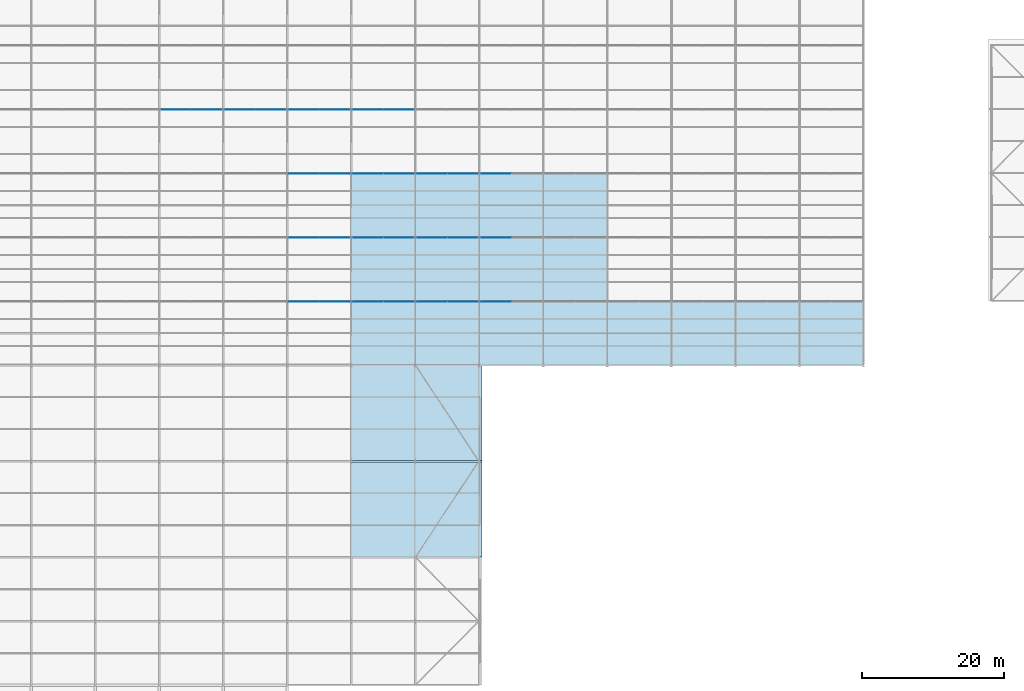
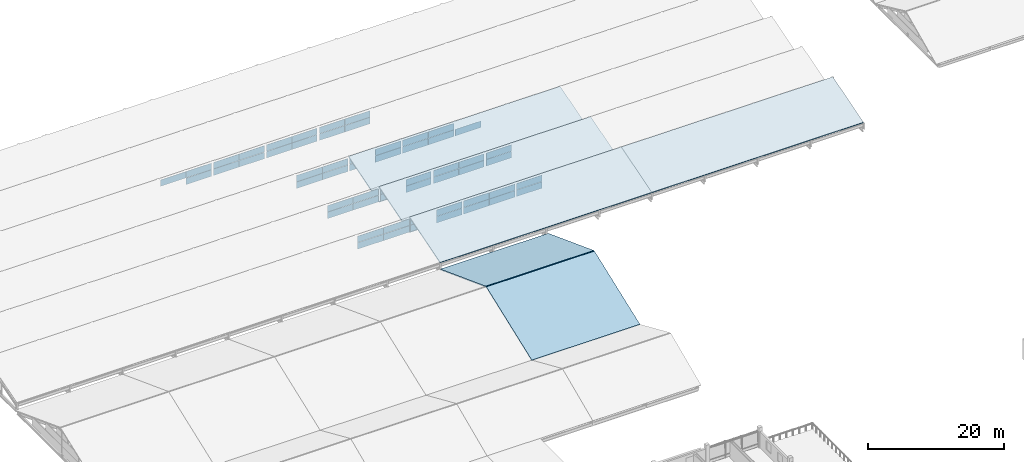
# One storey, part 111 of 163: 56 plates, 6 slabs, 16 elements without a shape of their own.
"""IFC4 building model written with IfcOpenShell, lengths in metres."""

from ifc_helpers import new_model, si_unit, direction, frame, origin, origin_2d, place, context, subcontext, project, spatial, polyline, rectangle, outline, extrude, material, layer, layer_set, type_object, element, aggregate, save


model = new_model("IFC4")

# Units and contexts
model_context = context("Model", 3, precision=1e-05, world=origin(), true_north=direction((0.0, 1.0)))
body_context = subcontext(model_context, "Body", "Model", "MODEL_VIEW")
ifc_project = project(units=[si_unit("LENGTHUNIT", "METRE"), si_unit("AREAUNIT", "SQUARE_METRE"), si_unit("VOLUMEUNIT", "CUBIC_METRE"), si_unit("PLANEANGLEUNIT", "RADIAN"), si_unit("MASSUNIT", "GRAM", prefix="KILO")], contexts=[model_context])

# Site, building, storey
site_placement = place(None, origin())
site = spatial("IfcSite", under=ifc_project, at=site_placement, CompositionType="ELEMENT")
building_placement = place(site_placement, origin())
building = spatial("IfcBuilding", under=site, at=building_placement, Name="Tharagai Park Tramway Depot", CompositionType="ELEMENT")
storey_placement = place(building_placement, frame((0.0, 0.0, 8.39990234375)))
storey = spatial("IfcBuildingStorey", under=building, at=storey_placement, Name="L02", CompositionType="ELEMENT", Elevation=8.39990234375)

# Curtain wall, plates
ifc_material_1 = material(Name="Anodised aluminium", Category="aluminium")
curtain_wall_type_1 = type_object("IfcCurtainWallType", Name="CW-04", PredefinedType="NOTDEFINED", material=ifc_material_1)
curtain_wall_1_placement = place(storey_placement, origin())
curtain_wall_1 = element("IfcCurtainWall", 1, at=curtain_wall_1_placement, inside=storey, type_object=curtain_wall_type_1, Name="Sawtooth North-Light Clerestory CW-04", PredefinedType="NOTDEFINED")
ifc_material_2 = material(Name="Laminated solar-control glass", Category="glass")
ifc_layer_1 = layer(ifc_material_2, 0.028076171875)
ifc_layer_set_1 = layer_set([ifc_layer_1], Name="Laminated solar-control glass")
plate_type = type_object("IfcPlateType", Name="CP-02", PredefinedType="CURTAIN_PANEL", material=ifc_layer_set_1)
plate_1_placement = place(storey_placement, frame((65.300048828125, 98.919921875, 1.28515625), z_axis=(0.0, 0.0, 1.0), x_axis=(1.0, 0.0, 0.0)))
plate_1 = element("IfcPlate", 2, at=plate_1_placement, type_object=plate_type, Name="Sawtooth North-Light Clerestory Glazed Panel 1.1", PredefinedType="CURTAIN_PANEL", context=body_context, shape_type="SweptSolid", body=[
    extrude(rectangle(XDim=4.3798828125, YDim=0.028076171875, at=origin_2d()), origin(), (0.0, 0.0, 1.0), 1.168701171875),
])
plate_2_placement = place(storey_placement, frame((65.300048828125, 98.919921875, 2.49365234375), z_axis=(0.0, 0.0, 1.0), x_axis=(1.0, 0.0, 0.0)))
plate_2 = element("IfcPlate", 3, at=plate_2_placement, type_object=plate_type, Name="Sawtooth North-Light Clerestory Glazed Panel 1.2", PredefinedType="CURTAIN_PANEL", context=body_context, shape_type="SweptSolid", body=[
    extrude(rectangle(XDim=4.3798828125, YDim=0.028076171875, at=origin_2d()), origin(), (0.0, 0.0, 1.0), 1.148681640625),
])
plate_3_placement = place(storey_placement, frame((69.699951171875, 98.919921875, 1.28515625), z_axis=(0.0, 0.0, 1.0), x_axis=(1.0, 0.0, 0.0)))
plate_3 = element("IfcPlate", 4, at=plate_3_placement, type_object=plate_type, Name="Sawtooth North-Light Clerestory Glazed Panel 2.1", PredefinedType="CURTAIN_PANEL", context=body_context, shape_type="SweptSolid", body=[
    extrude(rectangle(XDim=4.3798828125, YDim=0.028076171875, at=origin_2d()), origin(), (0.0, 0.0, 1.0), 1.168701171875),
])
plate_4_placement = place(storey_placement, frame((69.699951171875, 98.919921875, 2.49365234375), z_axis=(0.0, 0.0, 1.0), x_axis=(1.0, 0.0, 0.0)))
plate_4 = element("IfcPlate", 5, at=plate_4_placement, type_object=plate_type, Name="Sawtooth North-Light Clerestory Glazed Panel 2.2", PredefinedType="CURTAIN_PANEL", context=body_context, shape_type="SweptSolid", body=[
    extrude(rectangle(XDim=4.3798828125, YDim=0.028076171875, at=origin_2d()), origin(), (0.0, 0.0, 1.0), 1.148681640625),
])
aggregate(curtain_wall_1, [plate_1, plate_2, plate_3, plate_4])

curtain_wall_2_placement = place(storey_placement, origin())
curtain_wall_2 = element("IfcCurtainWall", 6, at=curtain_wall_2_placement, inside=storey, type_object=curtain_wall_type_1, Name="Sawtooth North-Light Clerestory CW-04", PredefinedType="NOTDEFINED")
plate_5_placement = place(storey_placement, frame((74.300048828125, 98.919921875, 1.28515625), z_axis=(0.0, 0.0, 1.0), x_axis=(1.0, 0.0, 0.0)))
plate_5 = element("IfcPlate", 7, at=plate_5_placement, type_object=plate_type, Name="Sawtooth North-Light Clerestory Glazed Panel 1.1", PredefinedType="CURTAIN_PANEL", context=body_context, shape_type="SweptSolid", body=[
    extrude(rectangle(XDim=4.3798828125, YDim=0.028076171875, at=origin_2d()), origin(), (0.0, 0.0, 1.0), 1.168701171875),
])
plate_6_placement = place(storey_placement, frame((74.300048828125, 98.919921875, 2.49365234375), z_axis=(0.0, 0.0, 1.0), x_axis=(1.0, 0.0, 0.0)))
plate_6 = element("IfcPlate", 8, at=plate_6_placement, type_object=plate_type, Name="Sawtooth North-Light Clerestory Glazed Panel 1.2", PredefinedType="CURTAIN_PANEL", context=body_context, shape_type="SweptSolid", body=[
    extrude(rectangle(XDim=4.3798828125, YDim=0.028076171875, at=origin_2d()), origin(), (0.0, 0.0, 1.0), 1.148681640625),
])
plate_7_placement = place(storey_placement, frame((78.699951171875, 98.919921875, 1.28515625), z_axis=(0.0, 0.0, 1.0), x_axis=(1.0, 0.0, 0.0)))
plate_7 = element("IfcPlate", 9, at=plate_7_placement, type_object=plate_type, Name="Sawtooth North-Light Clerestory Glazed Panel 2.1", PredefinedType="CURTAIN_PANEL", context=body_context, shape_type="SweptSolid", body=[
    extrude(rectangle(XDim=4.3798828125, YDim=0.028076171875, at=origin_2d()), origin(), (0.0, 0.0, 1.0), 1.168701171875),
])
plate_8_placement = place(storey_placement, frame((78.699951171875, 98.919921875, 2.49365234375), z_axis=(0.0, 0.0, 1.0), x_axis=(1.0, 0.0, 0.0)))
plate_8 = element("IfcPlate", 10, at=plate_8_placement, type_object=plate_type, Name="Sawtooth North-Light Clerestory Glazed Panel 2.2", PredefinedType="CURTAIN_PANEL", context=body_context, shape_type="SweptSolid", body=[
    extrude(rectangle(XDim=4.3798828125, YDim=0.028076171875, at=origin_2d()), origin(), (0.0, 0.0, 1.0), 1.148681640625),
])
aggregate(curtain_wall_2, [plate_5, plate_6, plate_7, plate_8])

curtain_wall_3_placement = place(storey_placement, origin())
curtain_wall_3 = element("IfcCurtainWall", 11, at=curtain_wall_3_placement, inside=storey, type_object=curtain_wall_type_1, Name="Sawtooth North-Light Clerestory CW-04", PredefinedType="NOTDEFINED")
plate_9_placement = place(storey_placement, frame((83.300048828125, 98.919921875, 1.28515625), z_axis=(0.0, 0.0, 1.0), x_axis=(1.0, 0.0, 0.0)))
plate_9 = element("IfcPlate", 12, at=plate_9_placement, type_object=plate_type, Name="Sawtooth North-Light Clerestory Glazed Panel 1.1", PredefinedType="CURTAIN_PANEL", context=body_context, shape_type="SweptSolid", body=[
    extrude(rectangle(XDim=4.3798828125, YDim=0.028076171875, at=origin_2d()), origin(), (0.0, 0.0, 1.0), 1.168701171875),
])
plate_10_placement = place(storey_placement, frame((83.300048828125, 98.919921875, 2.49365234375), z_axis=(0.0, 0.0, 1.0), x_axis=(1.0, 0.0, 0.0)))
plate_10 = element("IfcPlate", 13, at=plate_10_placement, type_object=plate_type, Name="Sawtooth North-Light Clerestory Glazed Panel 1.2", PredefinedType="CURTAIN_PANEL", context=body_context, shape_type="SweptSolid", body=[
    extrude(rectangle(XDim=4.3798828125, YDim=0.028076171875, at=origin_2d()), origin(), (0.0, 0.0, 1.0), 1.148681640625),
])
plate_11_placement = place(storey_placement, frame((87.699951171875, 98.919921875, 1.28515625), z_axis=(0.0, 0.0, 1.0), x_axis=(1.0, 0.0, 0.0)))
plate_11 = element("IfcPlate", 14, at=plate_11_placement, type_object=plate_type, Name="Sawtooth North-Light Clerestory Glazed Panel 2.1", PredefinedType="CURTAIN_PANEL", context=body_context, shape_type="SweptSolid", body=[
    extrude(rectangle(XDim=4.3798828125, YDim=0.028076171875, at=origin_2d()), origin(), (0.0, 0.0, 1.0), 1.168701171875),
])
plate_12_placement = place(storey_placement, frame((87.699951171875, 98.919921875, 2.49365234375), z_axis=(0.0, 0.0, 1.0), x_axis=(1.0, 0.0, 0.0)))
plate_12 = element("IfcPlate", 15, at=plate_12_placement, type_object=plate_type, Name="Sawtooth North-Light Clerestory Glazed Panel 2.2", PredefinedType="CURTAIN_PANEL", context=body_context, shape_type="SweptSolid", body=[
    extrude(rectangle(XDim=4.3798828125, YDim=0.028076171875, at=origin_2d()), origin(), (0.0, 0.0, 1.0), 1.148681640625),
])
aggregate(curtain_wall_3, [plate_9, plate_10, plate_11, plate_12])

curtain_wall_4_placement = place(storey_placement, origin())
curtain_wall_4 = element("IfcCurtainWall", 16, at=curtain_wall_4_placement, inside=storey, type_object=curtain_wall_type_1, Name="Sawtooth North-Light Clerestory CW-04", PredefinedType="NOTDEFINED")
plate_13_placement = place(storey_placement, frame((92.300048828125, 98.919921875, 1.28515625), z_axis=(0.0, 0.0, 1.0), x_axis=(1.0, 0.0, 0.0)))
plate_13 = element("IfcPlate", 17, at=plate_13_placement, type_object=plate_type, Name="Sawtooth North-Light Clerestory Glazed Panel 1.1", PredefinedType="CURTAIN_PANEL", context=body_context, shape_type="SweptSolid", body=[
    extrude(rectangle(XDim=4.3798828125, YDim=0.028076171875, at=origin_2d()), origin(), (0.0, 0.0, 1.0), 1.168701171875),
])
plate_14_placement = place(storey_placement, frame((92.300048828125, 98.919921875, 2.49365234375), z_axis=(0.0, 0.0, 1.0), x_axis=(1.0, 0.0, 0.0)))
plate_14 = element("IfcPlate", 18, at=plate_14_placement, type_object=plate_type, Name="Sawtooth North-Light Clerestory Glazed Panel 1.2", PredefinedType="CURTAIN_PANEL", context=body_context, shape_type="SweptSolid", body=[
    extrude(rectangle(XDim=4.3798828125, YDim=0.028076171875, at=origin_2d()), origin(), (0.0, 0.0, 1.0), 1.148681640625),
])
aggregate(curtain_wall_4, [plate_13, plate_14])

curtain_wall_type_2 = type_object("IfcCurtainWallType", Name="CW-03", PredefinedType="NOTDEFINED", material=ifc_material_1)
curtain_wall_5_placement = place(storey_placement, origin())
curtain_wall_5 = element("IfcCurtainWall", 19, at=curtain_wall_5_placement, inside=storey, type_object=curtain_wall_type_2, Name="Sawtooth North-Light Clerestory CW-03", PredefinedType="NOTDEFINED")
plate_15_placement = place(storey_placement, frame((65.340087890625, 107.919921875, 1.28515625), z_axis=(0.0, 0.0, 1.0), x_axis=(1.0, 0.0, 0.0)))
plate_15 = element("IfcPlate", 20, at=plate_15_placement, type_object=plate_type, Name="Sawtooth North-Light Clerestory Glazed Panel 1.1", PredefinedType="CURTAIN_PANEL", context=body_context, shape_type="SweptSolid", body=[
    extrude(rectangle(XDim=4.300048828125, YDim=0.028076171875, at=origin_2d()), origin(), (0.0, 0.0, 1.0), 1.168701171875),
])
plate_16_placement = place(storey_placement, frame((65.340087890625, 107.919921875, 2.49365234375), z_axis=(0.0, 0.0, 1.0), x_axis=(1.0, 0.0, 0.0)))
plate_16 = element("IfcPlate", 21, at=plate_16_placement, type_object=plate_type, Name="Sawtooth North-Light Clerestory Glazed Panel 1.2", PredefinedType="CURTAIN_PANEL", context=body_context, shape_type="SweptSolid", body=[
    extrude(rectangle(XDim=4.300048828125, YDim=0.028076171875, at=origin_2d()), origin(), (0.0, 0.0, 1.0), 1.148681640625),
])
plate_17_placement = place(storey_placement, frame((69.659912109375, 107.919921875, 1.28515625), z_axis=(0.0, 0.0, 1.0), x_axis=(1.0, 0.0, 0.0)))
plate_17 = element("IfcPlate", 22, at=plate_17_placement, type_object=plate_type, Name="Sawtooth North-Light Clerestory Glazed Panel 2.1", PredefinedType="CURTAIN_PANEL", context=body_context, shape_type="SweptSolid", body=[
    extrude(rectangle(XDim=4.300048828125, YDim=0.028076171875, at=origin_2d()), origin(), (0.0, 0.0, 1.0), 1.168701171875),
])
plate_18_placement = place(storey_placement, frame((69.659912109375, 107.919921875, 2.49365234375), z_axis=(0.0, 0.0, 1.0), x_axis=(1.0, 0.0, 0.0)))
plate_18 = element("IfcPlate", 23, at=plate_18_placement, type_object=plate_type, Name="Sawtooth North-Light Clerestory Glazed Panel 2.2", PredefinedType="CURTAIN_PANEL", context=body_context, shape_type="SweptSolid", body=[
    extrude(rectangle(XDim=4.300048828125, YDim=0.028076171875, at=origin_2d()), origin(), (0.0, 0.0, 1.0), 1.148681640625),
])
aggregate(curtain_wall_5, [plate_15, plate_16, plate_17, plate_18])

curtain_wall_6_placement = place(storey_placement, origin())
curtain_wall_6 = element("IfcCurtainWall", 24, at=curtain_wall_6_placement, inside=storey, type_object=curtain_wall_type_2, Name="Sawtooth North-Light Clerestory CW-03", PredefinedType="NOTDEFINED")
plate_19_placement = place(storey_placement, frame((74.340087890625, 107.919921875, 1.28515625), z_axis=(0.0, 0.0, 1.0), x_axis=(1.0, 0.0, 0.0)))
plate_19 = element("IfcPlate", 25, at=plate_19_placement, type_object=plate_type, Name="Sawtooth North-Light Clerestory Glazed Panel 1.1", PredefinedType="CURTAIN_PANEL", context=body_context, shape_type="SweptSolid", body=[
    extrude(rectangle(XDim=4.300048828125, YDim=0.028076171875, at=origin_2d()), origin(), (0.0, 0.0, 1.0), 1.168701171875),
])
plate_20_placement = place(storey_placement, frame((74.340087890625, 107.919921875, 2.49365234375), z_axis=(0.0, 0.0, 1.0), x_axis=(1.0, 0.0, 0.0)))
plate_20 = element("IfcPlate", 26, at=plate_20_placement, type_object=plate_type, Name="Sawtooth North-Light Clerestory Glazed Panel 1.2", PredefinedType="CURTAIN_PANEL", context=body_context, shape_type="SweptSolid", body=[
    extrude(rectangle(XDim=4.300048828125, YDim=0.028076171875, at=origin_2d()), origin(), (0.0, 0.0, 1.0), 1.148681640625),
])
plate_21_placement = place(storey_placement, frame((78.659912109375, 107.919921875, 1.28515625), z_axis=(0.0, 0.0, 1.0), x_axis=(1.0, 0.0, 0.0)))
plate_21 = element("IfcPlate", 27, at=plate_21_placement, type_object=plate_type, Name="Sawtooth North-Light Clerestory Glazed Panel 2.1", PredefinedType="CURTAIN_PANEL", context=body_context, shape_type="SweptSolid", body=[
    extrude(rectangle(XDim=4.300048828125, YDim=0.028076171875, at=origin_2d()), origin(), (0.0, 0.0, 1.0), 1.168701171875),
])
plate_22_placement = place(storey_placement, frame((78.659912109375, 107.919921875, 2.49365234375), z_axis=(0.0, 0.0, 1.0), x_axis=(1.0, 0.0, 0.0)))
plate_22 = element("IfcPlate", 28, at=plate_22_placement, type_object=plate_type, Name="Sawtooth North-Light Clerestory Glazed Panel 2.2", PredefinedType="CURTAIN_PANEL", context=body_context, shape_type="SweptSolid", body=[
    extrude(rectangle(XDim=4.300048828125, YDim=0.028076171875, at=origin_2d()), origin(), (0.0, 0.0, 1.0), 1.148681640625),
])
aggregate(curtain_wall_6, [plate_19, plate_20, plate_21, plate_22])

curtain_wall_7_placement = place(storey_placement, origin())
curtain_wall_7 = element("IfcCurtainWall", 29, at=curtain_wall_7_placement, inside=storey, type_object=curtain_wall_type_2, Name="Sawtooth North-Light Clerestory CW-03", PredefinedType="NOTDEFINED")
plate_23_placement = place(storey_placement, frame((83.340087890625, 107.919921875, 1.28515625), z_axis=(0.0, 0.0, 1.0), x_axis=(1.0, 0.0, 0.0)))
plate_23 = element("IfcPlate", 30, at=plate_23_placement, type_object=plate_type, Name="Sawtooth North-Light Clerestory Glazed Panel 1.1", PredefinedType="CURTAIN_PANEL", context=body_context, shape_type="SweptSolid", body=[
    extrude(rectangle(XDim=4.300048828125, YDim=0.028076171875, at=origin_2d()), origin(), (0.0, 0.0, 1.0), 1.168701171875),
])
plate_24_placement = place(storey_placement, frame((83.340087890625, 107.919921875, 2.49365234375), z_axis=(0.0, 0.0, 1.0), x_axis=(1.0, 0.0, 0.0)))
plate_24 = element("IfcPlate", 31, at=plate_24_placement, type_object=plate_type, Name="Sawtooth North-Light Clerestory Glazed Panel 1.2", PredefinedType="CURTAIN_PANEL", context=body_context, shape_type="SweptSolid", body=[
    extrude(rectangle(XDim=4.300048828125, YDim=0.028076171875, at=origin_2d()), origin(), (0.0, 0.0, 1.0), 1.148681640625),
])
plate_25_placement = place(storey_placement, frame((87.659912109375, 107.919921875, 1.28515625), z_axis=(0.0, 0.0, 1.0), x_axis=(1.0, 0.0, 0.0)))
plate_25 = element("IfcPlate", 32, at=plate_25_placement, type_object=plate_type, Name="Sawtooth North-Light Clerestory Glazed Panel 2.1", PredefinedType="CURTAIN_PANEL", context=body_context, shape_type="SweptSolid", body=[
    extrude(rectangle(XDim=4.300048828125, YDim=0.028076171875, at=origin_2d()), origin(), (0.0, 0.0, 1.0), 1.168701171875),
])
plate_26_placement = place(storey_placement, frame((87.659912109375, 107.919921875, 2.49365234375), z_axis=(0.0, 0.0, 1.0), x_axis=(1.0, 0.0, 0.0)))
plate_26 = element("IfcPlate", 33, at=plate_26_placement, type_object=plate_type, Name="Sawtooth North-Light Clerestory Glazed Panel 2.2", PredefinedType="CURTAIN_PANEL", context=body_context, shape_type="SweptSolid", body=[
    extrude(rectangle(XDim=4.300048828125, YDim=0.028076171875, at=origin_2d()), origin(), (0.0, 0.0, 1.0), 1.148681640625),
])
aggregate(curtain_wall_7, [plate_23, plate_24, plate_25, plate_26])

curtain_wall_8_placement = place(storey_placement, origin())
curtain_wall_8 = element("IfcCurtainWall", 34, at=curtain_wall_8_placement, inside=storey, type_object=curtain_wall_type_2, Name="Sawtooth North-Light Clerestory CW-03", PredefinedType="NOTDEFINED")
plate_27_placement = place(storey_placement, frame((92.340087890625, 107.919921875, 1.28515625), z_axis=(0.0, 0.0, 1.0), x_axis=(1.0, 0.0, 0.0)))
plate_27 = element("IfcPlate", 35, at=plate_27_placement, type_object=plate_type, Name="Sawtooth North-Light Clerestory Glazed Panel 1.1", PredefinedType="CURTAIN_PANEL", context=body_context, shape_type="SweptSolid", body=[
    extrude(rectangle(XDim=4.300048828125, YDim=0.028076171875, at=origin_2d()), origin(), (0.0, 0.0, 1.0), 1.168701171875),
])
plate_28_placement = place(storey_placement, frame((92.340087890625, 107.919921875, 2.49365234375), z_axis=(0.0, 0.0, 1.0), x_axis=(1.0, 0.0, 0.0)))
plate_28 = element("IfcPlate", 36, at=plate_28_placement, type_object=plate_type, Name="Sawtooth North-Light Clerestory Glazed Panel 1.2", PredefinedType="CURTAIN_PANEL", context=body_context, shape_type="SweptSolid", body=[
    extrude(rectangle(XDim=4.300048828125, YDim=0.028076171875, at=origin_2d()), origin(), (0.0, 0.0, 1.0), 1.148681640625),
])
aggregate(curtain_wall_8, [plate_27, plate_28])

curtain_wall_9_placement = place(storey_placement, origin())
curtain_wall_9 = element("IfcCurtainWall", 37, at=curtain_wall_9_placement, inside=storey, type_object=curtain_wall_type_1, Name="Sawtooth North-Light Clerestory CW-04", PredefinedType="NOTDEFINED")
plate_29_placement = place(storey_placement, frame((65.300048828125, 116.919921875, 1.28515625), z_axis=(0.0, 0.0, 1.0), x_axis=(1.0, 0.0, 0.0)))
plate_29 = element("IfcPlate", 38, at=plate_29_placement, type_object=plate_type, Name="Sawtooth North-Light Clerestory Glazed Panel 1.1", PredefinedType="CURTAIN_PANEL", context=body_context, shape_type="SweptSolid", body=[
    extrude(rectangle(XDim=4.3798828125, YDim=0.028076171875, at=origin_2d()), origin(), (0.0, 0.0, 1.0), 1.168701171875),
])
plate_30_placement = place(storey_placement, frame((65.300048828125, 116.919921875, 2.49365234375), z_axis=(0.0, 0.0, 1.0), x_axis=(1.0, 0.0, 0.0)))
plate_30 = element("IfcPlate", 39, at=plate_30_placement, type_object=plate_type, Name="Sawtooth North-Light Clerestory Glazed Panel 1.2", PredefinedType="CURTAIN_PANEL", context=body_context, shape_type="SweptSolid", body=[
    extrude(rectangle(XDim=4.3798828125, YDim=0.028076171875, at=origin_2d()), origin(), (0.0, 0.0, 1.0), 1.148681640625),
])
plate_31_placement = place(storey_placement, frame((69.699951171875, 116.919921875, 1.28515625), z_axis=(0.0, 0.0, 1.0), x_axis=(1.0, 0.0, 0.0)))
plate_31 = element("IfcPlate", 40, at=plate_31_placement, type_object=plate_type, Name="Sawtooth North-Light Clerestory Glazed Panel 2.1", PredefinedType="CURTAIN_PANEL", context=body_context, shape_type="SweptSolid", body=[
    extrude(rectangle(XDim=4.3798828125, YDim=0.028076171875, at=origin_2d()), origin(), (0.0, 0.0, 1.0), 1.168701171875),
])
plate_32_placement = place(storey_placement, frame((69.699951171875, 116.919921875, 2.49365234375), z_axis=(0.0, 0.0, 1.0), x_axis=(1.0, 0.0, 0.0)))
plate_32 = element("IfcPlate", 41, at=plate_32_placement, type_object=plate_type, Name="Sawtooth North-Light Clerestory Glazed Panel 2.2", PredefinedType="CURTAIN_PANEL", context=body_context, shape_type="SweptSolid", body=[
    extrude(rectangle(XDim=4.3798828125, YDim=0.028076171875, at=origin_2d()), origin(), (0.0, 0.0, 1.0), 1.148681640625),
])
aggregate(curtain_wall_9, [plate_29, plate_30, plate_31, plate_32])

curtain_wall_10_placement = place(storey_placement, origin())
curtain_wall_10 = element("IfcCurtainWall", 42, at=curtain_wall_10_placement, inside=storey, type_object=curtain_wall_type_1, Name="Sawtooth North-Light Clerestory CW-04", PredefinedType="NOTDEFINED")
plate_33_placement = place(storey_placement, frame((74.300048828125, 116.919921875, 1.28515625), z_axis=(0.0, 0.0, 1.0), x_axis=(1.0, 0.0, 0.0)))
plate_33 = element("IfcPlate", 43, at=plate_33_placement, type_object=plate_type, Name="Sawtooth North-Light Clerestory Glazed Panel 1.1", PredefinedType="CURTAIN_PANEL", context=body_context, shape_type="SweptSolid", body=[
    extrude(rectangle(XDim=4.3798828125, YDim=0.028076171875, at=origin_2d()), origin(), (0.0, 0.0, 1.0), 1.168701171875),
])
plate_34_placement = place(storey_placement, frame((74.300048828125, 116.919921875, 2.49365234375), z_axis=(0.0, 0.0, 1.0), x_axis=(1.0, 0.0, 0.0)))
plate_34 = element("IfcPlate", 44, at=plate_34_placement, type_object=plate_type, Name="Sawtooth North-Light Clerestory Glazed Panel 1.2", PredefinedType="CURTAIN_PANEL", context=body_context, shape_type="SweptSolid", body=[
    extrude(rectangle(XDim=4.3798828125, YDim=0.028076171875, at=origin_2d()), origin(), (0.0, 0.0, 1.0), 1.148681640625),
])
plate_35_placement = place(storey_placement, frame((78.699951171875, 116.919921875, 1.28515625), z_axis=(0.0, 0.0, 1.0), x_axis=(1.0, 0.0, 0.0)))
plate_35 = element("IfcPlate", 45, at=plate_35_placement, type_object=plate_type, Name="Sawtooth North-Light Clerestory Glazed Panel 2.1", PredefinedType="CURTAIN_PANEL", context=body_context, shape_type="SweptSolid", body=[
    extrude(rectangle(XDim=4.3798828125, YDim=0.028076171875, at=origin_2d()), origin(), (0.0, 0.0, 1.0), 1.168701171875),
])
plate_36_placement = place(storey_placement, frame((78.699951171875, 116.919921875, 2.49365234375), z_axis=(0.0, 0.0, 1.0), x_axis=(1.0, 0.0, 0.0)))
plate_36 = element("IfcPlate", 46, at=plate_36_placement, type_object=plate_type, Name="Sawtooth North-Light Clerestory Glazed Panel 2.2", PredefinedType="CURTAIN_PANEL", context=body_context, shape_type="SweptSolid", body=[
    extrude(rectangle(XDim=4.3798828125, YDim=0.028076171875, at=origin_2d()), origin(), (0.0, 0.0, 1.0), 1.148681640625),
])
aggregate(curtain_wall_10, [plate_33, plate_34, plate_35, plate_36])

curtain_wall_11_placement = place(storey_placement, origin())
curtain_wall_11 = element("IfcCurtainWall", 47, at=curtain_wall_11_placement, inside=storey, type_object=curtain_wall_type_1, Name="Sawtooth North-Light Clerestory CW-04", PredefinedType="NOTDEFINED")
plate_37_placement = place(storey_placement, frame((83.300048828125, 116.919921875, 1.28515625), z_axis=(0.0, 0.0, 1.0), x_axis=(1.0, 0.0, 0.0)))
plate_37 = element("IfcPlate", 48, at=plate_37_placement, type_object=plate_type, Name="Sawtooth North-Light Clerestory Glazed Panel 1.1", PredefinedType="CURTAIN_PANEL", context=body_context, shape_type="SweptSolid", body=[
    extrude(rectangle(XDim=4.3798828125, YDim=0.028076171875, at=origin_2d()), origin(), (0.0, 0.0, 1.0), 1.168701171875),
])
plate_38_placement = place(storey_placement, frame((83.300048828125, 116.919921875, 2.49365234375), z_axis=(0.0, 0.0, 1.0), x_axis=(1.0, 0.0, 0.0)))
plate_38 = element("IfcPlate", 49, at=plate_38_placement, type_object=plate_type, Name="Sawtooth North-Light Clerestory Glazed Panel 1.2", PredefinedType="CURTAIN_PANEL", context=body_context, shape_type="SweptSolid", body=[
    extrude(rectangle(XDim=4.3798828125, YDim=0.028076171875, at=origin_2d()), origin(), (0.0, 0.0, 1.0), 1.148681640625),
])
plate_39_placement = place(storey_placement, frame((87.699951171875, 116.919921875, 1.28515625), z_axis=(0.0, 0.0, 1.0), x_axis=(1.0, 0.0, 0.0)))
plate_39 = element("IfcPlate", 50, at=plate_39_placement, type_object=plate_type, Name="Sawtooth North-Light Clerestory Glazed Panel 2.1", PredefinedType="CURTAIN_PANEL", context=body_context, shape_type="SweptSolid", body=[
    extrude(rectangle(XDim=4.3798828125, YDim=0.028076171875, at=origin_2d()), origin(), (0.0, 0.0, 1.0), 1.168701171875),
])
plate_40_placement = place(storey_placement, frame((87.699951171875, 116.919921875, 2.49365234375), z_axis=(0.0, 0.0, 1.0), x_axis=(1.0, 0.0, 0.0)))
plate_40 = element("IfcPlate", 51, at=plate_40_placement, type_object=plate_type, Name="Sawtooth North-Light Clerestory Glazed Panel 2.2", PredefinedType="CURTAIN_PANEL", context=body_context, shape_type="SweptSolid", body=[
    extrude(rectangle(XDim=4.3798828125, YDim=0.028076171875, at=origin_2d()), origin(), (0.0, 0.0, 1.0), 1.148681640625),
])
aggregate(curtain_wall_11, [plate_37, plate_38, plate_39, plate_40])

# Curtain wall, plate
curtain_wall_12_placement = place(storey_placement, origin())
curtain_wall_12 = element("IfcCurtainWall", 52, at=curtain_wall_12_placement, inside=storey, type_object=curtain_wall_type_1, Name="Sawtooth North-Light Clerestory CW-04", PredefinedType="NOTDEFINED")
plate_41_placement = place(storey_placement, frame((92.300048828125, 116.919921875, 1.28515625), z_axis=(0.0, 0.0, 1.0), x_axis=(1.0, 0.0, 0.0)))
plate_41 = element("IfcPlate", 53, at=plate_41_placement, type_object=plate_type, Name="Sawtooth North-Light Clerestory Glazed Panel 1.1", PredefinedType="CURTAIN_PANEL", context=body_context, shape_type="SweptSolid", body=[
    extrude(rectangle(XDim=4.3798828125, YDim=0.028076171875, at=origin_2d()), origin(), (0.0, 0.0, 1.0), 1.168701171875),
])
aggregate(curtain_wall_12, [plate_41])

# Curtain wall, plates
curtain_wall_13_placement = place(storey_placement, origin())
curtain_wall_13 = element("IfcCurtainWall", 54, at=curtain_wall_13_placement, inside=storey, type_object=curtain_wall_type_2, Name="Sawtooth North-Light Clerestory CW-03", PredefinedType="NOTDEFINED")
plate_42_placement = place(storey_placement, frame((47.340087890625, 125.919921875, 2.49365234375), z_axis=(0.0, 0.0, 1.0), x_axis=(1.0, 0.0, 0.0)))
plate_42 = element("IfcPlate", 55, at=plate_42_placement, type_object=plate_type, Name="Sawtooth North-Light Clerestory Glazed Panel 1.2", PredefinedType="CURTAIN_PANEL", context=body_context, shape_type="SweptSolid", body=[
    extrude(rectangle(XDim=4.300048828125, YDim=0.028076171875, at=origin_2d()), origin(), (0.0, 0.0, 1.0), 1.148681640625),
])
plate_43_placement = place(storey_placement, frame((51.659912109375, 125.919921875, 1.28515625), z_axis=(0.0, 0.0, 1.0), x_axis=(1.0, 0.0, 0.0)))
plate_43 = element("IfcPlate", 56, at=plate_43_placement, type_object=plate_type, Name="Sawtooth North-Light Clerestory Glazed Panel 2.1", PredefinedType="CURTAIN_PANEL", context=body_context, shape_type="SweptSolid", body=[
    extrude(rectangle(XDim=4.300048828125, YDim=0.028076171875, at=origin_2d()), origin(), (0.0, 0.0, 1.0), 1.168701171875),
])
plate_44_placement = place(storey_placement, frame((51.659912109375, 125.919921875, 2.49365234375), z_axis=(0.0, 0.0, 1.0), x_axis=(1.0, 0.0, 0.0)))
plate_44 = element("IfcPlate", 57, at=plate_44_placement, type_object=plate_type, Name="Sawtooth North-Light Clerestory Glazed Panel 2.2", PredefinedType="CURTAIN_PANEL", context=body_context, shape_type="SweptSolid", body=[
    extrude(rectangle(XDim=4.300048828125, YDim=0.028076171875, at=origin_2d()), origin(), (0.0, 0.0, 1.0), 1.148681640625),
])
aggregate(curtain_wall_13, [plate_42, plate_43, plate_44])

curtain_wall_14_placement = place(storey_placement, origin())
curtain_wall_14 = element("IfcCurtainWall", 58, at=curtain_wall_14_placement, inside=storey, type_object=curtain_wall_type_2, Name="Sawtooth North-Light Clerestory CW-03", PredefinedType="NOTDEFINED")
plate_45_placement = place(storey_placement, frame((56.340087890625, 125.919921875, 1.28515625), z_axis=(0.0, 0.0, 1.0), x_axis=(1.0, 0.0, 0.0)))
plate_45 = element("IfcPlate", 59, at=plate_45_placement, type_object=plate_type, Name="Sawtooth North-Light Clerestory Glazed Panel 1.1", PredefinedType="CURTAIN_PANEL", context=body_context, shape_type="SweptSolid", body=[
    extrude(rectangle(XDim=4.300048828125, YDim=0.028076171875, at=origin_2d()), origin(), (0.0, 0.0, 1.0), 1.168701171875),
])
plate_46_placement = place(storey_placement, frame((56.340087890625, 125.919921875, 2.49365234375), z_axis=(0.0, 0.0, 1.0), x_axis=(1.0, 0.0, 0.0)))
plate_46 = element("IfcPlate", 60, at=plate_46_placement, type_object=plate_type, Name="Sawtooth North-Light Clerestory Glazed Panel 1.2", PredefinedType="CURTAIN_PANEL", context=body_context, shape_type="SweptSolid", body=[
    extrude(rectangle(XDim=4.300048828125, YDim=0.028076171875, at=origin_2d()), origin(), (0.0, 0.0, 1.0), 1.148681640625),
])
plate_47_placement = place(storey_placement, frame((60.659912109375, 125.919921875, 1.28515625), z_axis=(0.0, 0.0, 1.0), x_axis=(1.0, 0.0, 0.0)))
plate_47 = element("IfcPlate", 61, at=plate_47_placement, type_object=plate_type, Name="Sawtooth North-Light Clerestory Glazed Panel 2.1", PredefinedType="CURTAIN_PANEL", context=body_context, shape_type="SweptSolid", body=[
    extrude(rectangle(XDim=4.300048828125, YDim=0.028076171875, at=origin_2d()), origin(), (0.0, 0.0, 1.0), 1.168701171875),
])
plate_48_placement = place(storey_placement, frame((60.659912109375, 125.919921875, 2.49365234375), z_axis=(0.0, 0.0, 1.0), x_axis=(1.0, 0.0, 0.0)))
plate_48 = element("IfcPlate", 62, at=plate_48_placement, type_object=plate_type, Name="Sawtooth North-Light Clerestory Glazed Panel 2.2", PredefinedType="CURTAIN_PANEL", context=body_context, shape_type="SweptSolid", body=[
    extrude(rectangle(XDim=4.300048828125, YDim=0.028076171875, at=origin_2d()), origin(), (0.0, 0.0, 1.0), 1.148681640625),
])
aggregate(curtain_wall_14, [plate_45, plate_46, plate_47, plate_48])

curtain_wall_15_placement = place(storey_placement, origin())
curtain_wall_15 = element("IfcCurtainWall", 63, at=curtain_wall_15_placement, inside=storey, type_object=curtain_wall_type_2, Name="Sawtooth North-Light Clerestory CW-03", PredefinedType="NOTDEFINED")
plate_49_placement = place(storey_placement, frame((65.340087890625, 125.919921875, 1.28515625), z_axis=(0.0, 0.0, 1.0), x_axis=(1.0, 0.0, 0.0)))
plate_49 = element("IfcPlate", 64, at=plate_49_placement, type_object=plate_type, Name="Sawtooth North-Light Clerestory Glazed Panel 1.1", PredefinedType="CURTAIN_PANEL", context=body_context, shape_type="SweptSolid", body=[
    extrude(rectangle(XDim=4.300048828125, YDim=0.028076171875, at=origin_2d()), origin(), (0.0, 0.0, 1.0), 1.168701171875),
])
plate_50_placement = place(storey_placement, frame((65.340087890625, 125.919921875, 2.49365234375), z_axis=(0.0, 0.0, 1.0), x_axis=(1.0, 0.0, 0.0)))
plate_50 = element("IfcPlate", 65, at=plate_50_placement, type_object=plate_type, Name="Sawtooth North-Light Clerestory Glazed Panel 1.2", PredefinedType="CURTAIN_PANEL", context=body_context, shape_type="SweptSolid", body=[
    extrude(rectangle(XDim=4.300048828125, YDim=0.028076171875, at=origin_2d()), origin(), (0.0, 0.0, 1.0), 1.148681640625),
])
plate_51_placement = place(storey_placement, frame((69.659912109375, 125.919921875, 1.28515625), z_axis=(0.0, 0.0, 1.0), x_axis=(1.0, 0.0, 0.0)))
plate_51 = element("IfcPlate", 66, at=plate_51_placement, type_object=plate_type, Name="Sawtooth North-Light Clerestory Glazed Panel 2.1", PredefinedType="CURTAIN_PANEL", context=body_context, shape_type="SweptSolid", body=[
    extrude(rectangle(XDim=4.300048828125, YDim=0.028076171875, at=origin_2d()), origin(), (0.0, 0.0, 1.0), 1.168701171875),
])
plate_52_placement = place(storey_placement, frame((69.659912109375, 125.919921875, 2.49365234375), z_axis=(0.0, 0.0, 1.0), x_axis=(1.0, 0.0, 0.0)))
plate_52 = element("IfcPlate", 67, at=plate_52_placement, type_object=plate_type, Name="Sawtooth North-Light Clerestory Glazed Panel 2.2", PredefinedType="CURTAIN_PANEL", context=body_context, shape_type="SweptSolid", body=[
    extrude(rectangle(XDim=4.300048828125, YDim=0.028076171875, at=origin_2d()), origin(), (0.0, 0.0, 1.0), 1.148681640625),
])
aggregate(curtain_wall_15, [plate_49, plate_50, plate_51, plate_52])

curtain_wall_16_placement = place(storey_placement, origin())
curtain_wall_16 = element("IfcCurtainWall", 68, at=curtain_wall_16_placement, inside=storey, type_object=curtain_wall_type_2, Name="Sawtooth North-Light Clerestory CW-03", PredefinedType="NOTDEFINED")
plate_53_placement = place(storey_placement, frame((74.340087890625, 125.919921875, 1.28515625), z_axis=(0.0, 0.0, 1.0), x_axis=(1.0, 0.0, 0.0)))
plate_53 = element("IfcPlate", 69, at=plate_53_placement, type_object=plate_type, Name="Sawtooth North-Light Clerestory Glazed Panel 1.1", PredefinedType="CURTAIN_PANEL", context=body_context, shape_type="SweptSolid", body=[
    extrude(rectangle(XDim=4.300048828125, YDim=0.028076171875, at=origin_2d()), origin(), (0.0, 0.0, 1.0), 1.168701171875),
])
plate_54_placement = place(storey_placement, frame((74.340087890625, 125.919921875, 2.49365234375), z_axis=(0.0, 0.0, 1.0), x_axis=(1.0, 0.0, 0.0)))
plate_54 = element("IfcPlate", 70, at=plate_54_placement, type_object=plate_type, Name="Sawtooth North-Light Clerestory Glazed Panel 1.2", PredefinedType="CURTAIN_PANEL", context=body_context, shape_type="SweptSolid", body=[
    extrude(rectangle(XDim=4.300048828125, YDim=0.028076171875, at=origin_2d()), origin(), (0.0, 0.0, 1.0), 1.148681640625),
])
plate_55_placement = place(storey_placement, frame((78.659912109375, 125.919921875, 1.28515625), z_axis=(0.0, 0.0, 1.0), x_axis=(1.0, 0.0, 0.0)))
plate_55 = element("IfcPlate", 71, at=plate_55_placement, type_object=plate_type, Name="Sawtooth North-Light Clerestory Glazed Panel 2.1", PredefinedType="CURTAIN_PANEL", context=body_context, shape_type="SweptSolid", body=[
    extrude(rectangle(XDim=4.300048828125, YDim=0.028076171875, at=origin_2d()), origin(), (0.0, 0.0, 1.0), 1.168701171875),
])
plate_56_placement = place(storey_placement, frame((78.659912109375, 125.919921875, 2.49365234375), z_axis=(0.0, 0.0, 1.0), x_axis=(1.0, 0.0, 0.0)))
plate_56 = element("IfcPlate", 72, at=plate_56_placement, type_object=plate_type, Name="Sawtooth North-Light Clerestory Glazed Panel 2.2", PredefinedType="CURTAIN_PANEL", context=body_context, shape_type="SweptSolid", body=[
    extrude(rectangle(XDim=4.300048828125, YDim=0.028076171875, at=origin_2d()), origin(), (0.0, 0.0, 1.0), 1.148681640625),
])
aggregate(curtain_wall_16, [plate_53, plate_54, plate_55, plate_56])

# Slabs
ifc_material_3 = material(Name="Concrete M35", Category="concrete")
ifc_layer_2 = layer(ifc_material_3, 0.169921875)
ifc_layer_set_2 = layer_set([ifc_layer_2], Name="Concrete M35")
slab_type_1 = type_object("IfcSlabType", Name="RS-02", PredefinedType="ROOF", material=ifc_layer_set_2)
for number, where, z_axis, x_axis, name in (
    (73, (72.0, 63.0, 0.0), (0.0, -0.352279017557, 0.935895022847), (1.0, 0.0, 0.0), "V2B South Pitched Roof Slab 5"),
    (74, (90.39990234375, 90.0, 0.0), (0.0, 0.352279017557, 0.935895022847), (-1.0, 0.0, 0.0), "V2B North Pitched Roof Slab 5"),
):
    element("IfcSlab", number, at=place(storey_placement, frame(where, z_axis=z_axis, x_axis=x_axis)), inside=storey, type_object=slab_type_1, Name=name, PredefinedType="ROOF", context=body_context, shape_type="SweptSolid", body=[
        extrude(outline(polyline([(0.0, 0.0), (18.39990234375, 0.0), (18.39990234375, 14.328436183566225), (0.0, 14.328436183566225), (0.0, 0.0)])), origin(), (0.0, 0.0, -1.0), 0.169921875),
    ])
ifc_layer_3 = layer(ifc_material_3, 0.159912109375)
ifc_layer_set_3 = layer_set([ifc_layer_3], Name="Concrete M35")
slab_type_2 = type_object("IfcSlabType", Name="RS-04", PredefinedType="ROOF", material=ifc_layer_set_3)
for number, where, z_axis, x_axis, name in (
    (75, (72.0, 90.0, 1.2001953125), (0.0, -0.289034229425, 0.95731876312), (1.0, 0.0, 0.0), "V1 Sawtooth Tooth 1 Sloped Roof Slab 3"),
    (76, (108.0, 90.0, 1.2001953125), (0.0, -0.289034229425, 0.95731876312), (1.0, 0.0, 0.0), "V1 Sawtooth Tooth 1 Sloped Roof Slab 4"),
    (77, (72.0, 99.0, 1.2001953125), (0.0, -0.289034229425, 0.95731876312), (1.0, 0.0, 0.0), "V1 Sawtooth Tooth 2 Sloped Roof Slab 3"),
    (78, (72.0, 108.0, 1.2001953125), (0.0, -0.289034229425, 0.95731876312), (1.0, 0.0, 0.0), "V1 Sawtooth Tooth 3 Sloped Roof Slab 3"),
):
    element("IfcSlab", number, at=place(storey_placement, frame(where, z_axis=z_axis, x_axis=x_axis)), inside=storey, type_object=slab_type_2, Name=name, PredefinedType="ROOF", context=body_context, shape_type="SweptSolid", body=[
        extrude(outline(polyline([(0.0, 0.0), (36.0, 0.0), (36.0, 9.401257289340432), (0.0, 9.401257289340432), (0.0, 0.0)])), origin(), (0.0, 0.0, -1.0), 0.159912109375),
    ])

save(model, "model.ifc")
